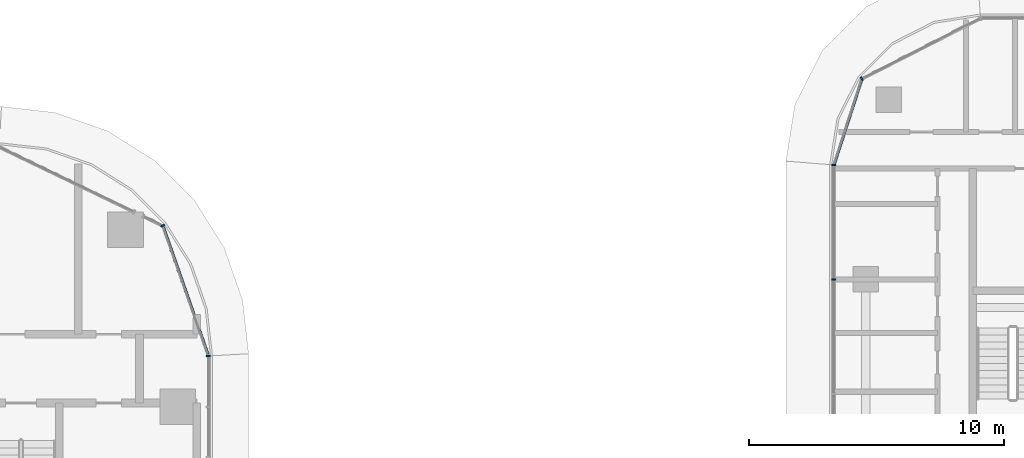
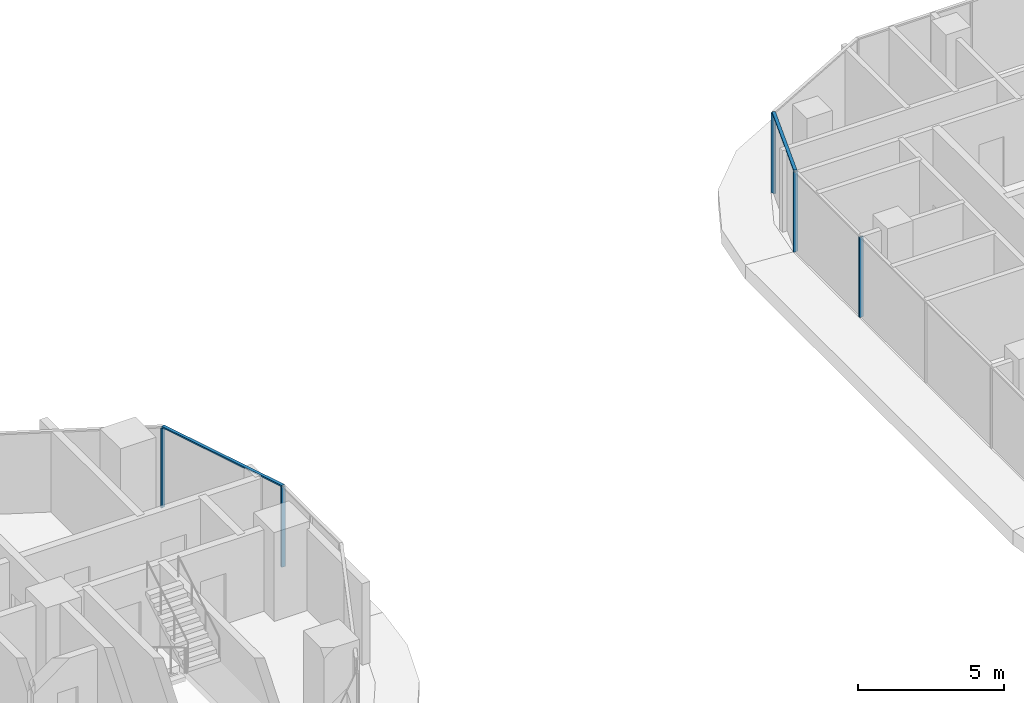
# One storey, part 9 of 39: 7 members, 4 elements without a shape of their own.
"""IFC4 building model written with IfcOpenShell, lengths in metres."""

from ifc_helpers import new_model, si_unit, direction, frame, origin, origin_2d, place, context, subcontext, project, spatial, rectangle, extrude, material, material_profile, profile_set, type_object, element, aggregate, save


model = new_model("IFC4")

# Units and contexts
model_context = context("Model", 3, precision=1e-05, world=origin(), true_north=direction((0.0, 1.0)))
body_context = subcontext(model_context, "Body", "Model", "MODEL_VIEW")
ifc_project = project(units=[si_unit("LENGTHUNIT", "METRE"), si_unit("AREAUNIT", "SQUARE_METRE"), si_unit("VOLUMEUNIT", "CUBIC_METRE"), si_unit("PLANEANGLEUNIT", "RADIAN"), si_unit("MASSUNIT", "GRAM", prefix="KILO")], contexts=[model_context])

# Site, building, storey
site_placement = place(None, origin())
site = spatial("IfcSite", under=ifc_project, at=site_placement, CompositionType="ELEMENT")
building_placement = place(site_placement, origin())
building = spatial("IfcBuilding", under=site, at=building_placement, Name="Ogive Portal Towers", CompositionType="ELEMENT")
storey_placement = place(building_placement, frame((0.0, 0.0, 44.60009765625)))
storey = spatial("IfcBuildingStorey", under=building, at=storey_placement, Name="L09", CompositionType="ELEMENT", Elevation=44.60009765625)

# Curtain wall, member
ifc_material_1 = material(Name="Glass, clear low-iron insulated glazing", Category="glass")
curtain_wall_type_1 = type_object("IfcCurtainWallType", Name="CW FRONT RIBBON 4500", PredefinedType="NOTDEFINED", material=ifc_material_1)
curtain_wall_1_placement = place(storey_placement, origin())
curtain_wall_1 = element("IfcCurtainWall", 1, at=curtain_wall_1_placement, inside=storey, type_object=curtain_wall_type_1, Name="A:L09:f08:cw0", PredefinedType="NOTDEFINED")
ifc_material_2 = material(Name="Aluminium 6063 anodised", Category="aluminium")
ifc_material_profile_1 = material_profile(ifc_material_2, rectangle(XDim=0.159912109375, YDim=0.06005859375, at=origin_2d()), Name="AL 60x160")
ifc_profile_set_1 = profile_set([ifc_material_profile_1], Name="Aluminium 6063 anodised")
member_type_1 = type_object("IfcMemberType", Name="CW MULLION 60x160", PredefinedType="MULLION", material=ifc_profile_set_1)
member_1_placement = place(storey_placement, frame((95.705078125, 32.486328125, 0.0), z_axis=(0.0, 0.0, 1.0), x_axis=(-1.0, 0.0, 0.0)))
member_1 = element("IfcMember", 2, at=member_1_placement, type_object=member_type_1, Name="mullion", PredefinedType="MULLION", context=body_context, shape_type="SweptSolid", body=[
    extrude(rectangle(XDim=0.159912109375, YDim=0.06005859375, at=origin_2d()), origin(), (0.0, 0.0, 1.0), 3.33984375),
])
aggregate(curtain_wall_1, [member_1])

curtain_wall_2_placement = place(storey_placement, origin())
curtain_wall_2 = element("IfcCurtainWall", 3, at=curtain_wall_2_placement, inside=storey, type_object=curtain_wall_type_1, Name="A:L09:f09:cwa~0", PredefinedType="NOTDEFINED")
member_2_placement = place(storey_placement, frame((93.912841796875, 37.60791015625, 0.0), z_axis=(0.0, 0.0, 1.0), x_axis=(-0.943883330307, -0.33027906196, 0.0)))
member_2 = element("IfcMember", 4, at=member_2_placement, type_object=member_type_1, Name="mullion", PredefinedType="MULLION", context=body_context, shape_type="SweptSolid", body=[
    extrude(rectangle(XDim=0.159912109375, YDim=0.06005859375, at=origin_2d()), origin(), (0.0, 0.0, 1.0), 3.33984375),
])

# Curtain wall, members
curtain_wall_type_2 = type_object("IfcCurtainWallType", Name="CW RESIDENCES RIBBON", PredefinedType="NOTDEFINED", material=ifc_material_1)
curtain_wall_3_placement = place(storey_placement, origin())
curtain_wall_3 = element("IfcCurtainWall", 5, at=curtain_wall_3_placement, inside=storey, type_object=curtain_wall_type_2, Name="B:L09:f11:cw0", PredefinedType="NOTDEFINED")
member_3_placement = place(storey_placement, frame((120.2451171875, 39.9873046875, 0.0), z_axis=(0.0, 0.0, 1.0), x_axis=(1.0, 0.0, 0.0)))
member_3 = element("IfcMember", 6, at=member_3_placement, type_object=member_type_1, Name="mullion", PredefinedType="MULLION", context=body_context, shape_type="SweptSolid", body=[
    extrude(rectangle(XDim=0.159912109375, YDim=0.06005859375, at=origin_2d()), origin(), (0.0, 0.0, 1.0), 3.33984375),
])
member_4_placement = place(storey_placement, frame((120.2451171875, 35.5, 0.0), z_axis=(0.0, 0.0, 1.0), x_axis=(1.0, 0.0, 0.0)))
member_4 = element("IfcMember", 7, at=member_4_placement, type_object=member_type_1, Name="mullion", PredefinedType="MULLION", context=body_context, shape_type="SweptSolid", body=[
    extrude(rectangle(XDim=0.159912109375, YDim=0.06005859375, at=origin_2d()), origin(), (0.0, 0.0, 1.0), 3.33984375),
])
aggregate(curtain_wall_3, [member_3, member_4])

# Curtain wall, member
curtain_wall_4_placement = place(storey_placement, origin())
curtain_wall_4 = element("IfcCurtainWall", 8, at=curtain_wall_4_placement, inside=storey, type_object=curtain_wall_type_2, Name="B:L09:f09:cwa", PredefinedType="NOTDEFINED")
member_5_placement = place(storey_placement, frame((121.34521484375, 43.37353515625, 0.0), z_axis=(0.0, 0.0, 1.0), x_axis=(0.45399049974, -0.891006524188, 0.0)))
member_5 = element("IfcMember", 9, at=member_5_placement, type_object=member_type_1, Name="mullion", PredefinedType="MULLION", context=body_context, shape_type="SweptSolid", body=[
    extrude(rectangle(XDim=0.159912109375, YDim=0.06005859375, at=origin_2d()), origin(), (0.0, 0.0, 1.0), 3.33984375),
])

# Member
ifc_material_profile_2 = material_profile(ifc_material_2, rectangle(XDim=0.1201171875, YDim=0.06005859375, at=origin_2d()), Name="AL 120x60")
ifc_profile_set_2 = profile_set([ifc_material_profile_2], Name="Aluminium 6063 anodised")
member_type_2 = type_object("IfcMemberType", Name="CW TRANSOM 60x120", PredefinedType="USERDEFINED", material=ifc_profile_set_2)
member_6_placement = place(storey_placement, frame((95.705078125, 32.486328125, 3.369873046875), z_axis=(-0.330298315777, 0.943876592884, 0.0), x_axis=(-0.943876592884, -0.330298315777, 0.0)))
member_6 = element("IfcMember", 10, at=member_6_placement, type_object=member_type_2, Name="transom", ObjectType="TRANSOM", PredefinedType="USERDEFINED", context=body_context, shape_type="SweptSolid", body=[
    extrude(rectangle(XDim=0.1201171875, YDim=0.06005859375, at=origin_2d()), origin(), (0.0, 0.0, 1.0), 5.426025390625),
])

aggregate(curtain_wall_2, [member_6, member_2])

member_7_placement = place(storey_placement, frame((121.34521484375, 43.37353515625, 3.369873046875), z_axis=(-0.308977536298, -0.951069336097, 0.0), x_axis=(0.951069336097, -0.308977536298, 0.0)))
member_7 = element("IfcMember", 11, at=member_7_placement, type_object=member_type_2, Name="transom", ObjectType="TRANSOM", PredefinedType="USERDEFINED", context=body_context, shape_type="SweptSolid", body=[
    extrude(rectangle(XDim=0.1201171875, YDim=0.06005859375, at=origin_2d()), origin(), (0.0, 0.0, 1.0), 3.560546875),
])

aggregate(curtain_wall_4, [member_7, member_5])

save(model, "model.ifc")
